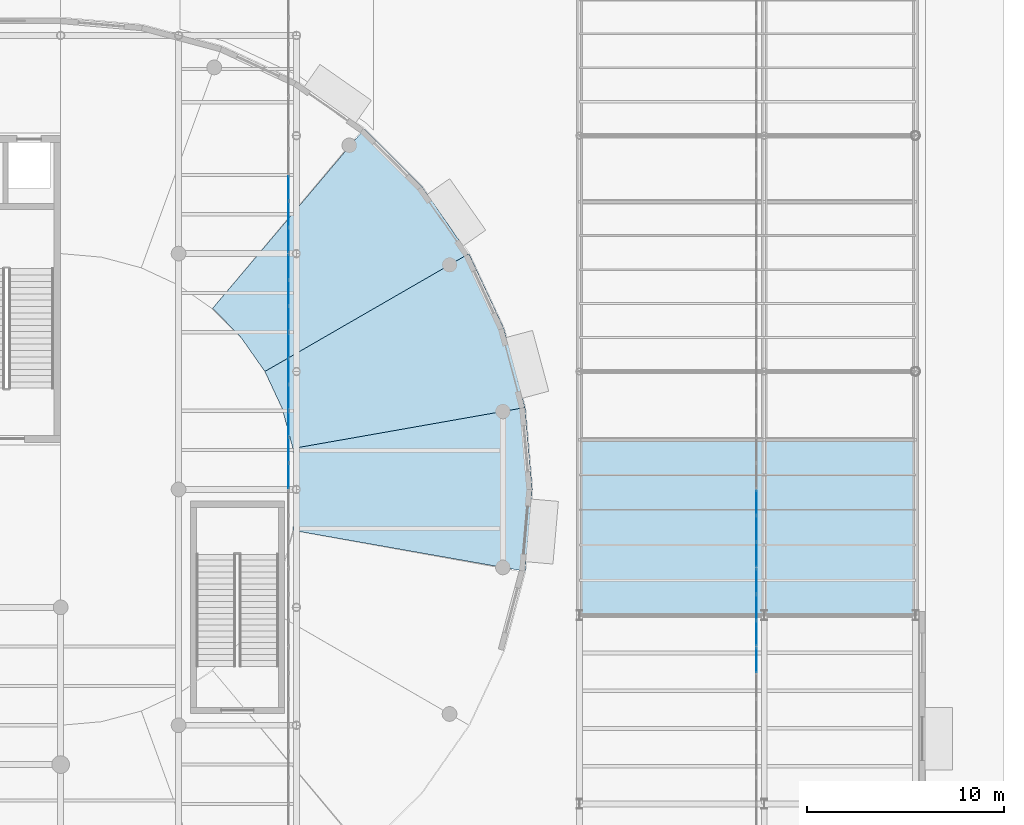
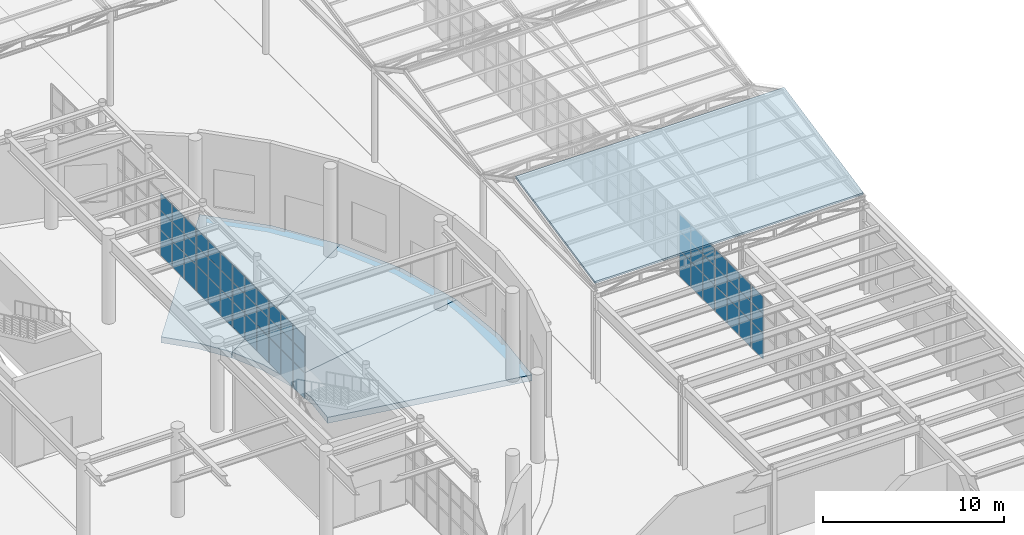
# One storey, part 79 of 118: 57 plates, 4 slabs, 7 elements without a shape of their own.
"""IFC4 building model written with IfcOpenShell, lengths in metres."""

from ifc_helpers import new_model, si_unit, direction, frame, origin, origin_2d, place, context, subcontext, project, spatial, polyline, rectangle, outline, extrude, material, layer, layer_set, type_object, element, aggregate, save


model = new_model("IFC4")

# Units and contexts
model_context = context("Model", 3, precision=1e-05, world=origin(), true_north=direction((0.0, 1.0)))
body_context = subcontext(model_context, "Body", "Model", "MODEL_VIEW")
ifc_project = project(units=[si_unit("LENGTHUNIT", "METRE"), si_unit("AREAUNIT", "SQUARE_METRE"), si_unit("VOLUMEUNIT", "CUBIC_METRE"), si_unit("PLANEANGLEUNIT", "RADIAN"), si_unit("MASSUNIT", "GRAM", prefix="KILO")], contexts=[model_context])

# Site, building, storey
site_placement = place(None, origin())
site = spatial("IfcSite", under=ifc_project, at=site_placement, CompositionType="ELEMENT")
building_placement = place(site_placement, origin())
building = spatial("IfcBuilding", under=site, at=building_placement, Name="Kolvaren Corner Interchange", CompositionType="ELEMENT")
storey_placement = place(building_placement, origin())
storey = spatial("IfcBuildingStorey", under=building, at=storey_placement, Name="L01", CompositionType="ELEMENT", Elevation=0.0)

# Curtain wall, plates
ifc_material_1 = material(Name="Unitised Aluminium and Solar-Control Glass Curtain Wall", Category="aluminium")
curtain_wall_type = type_object("IfcCurtainWallType", Name="CW-V4-BOARD", PredefinedType="NOTDEFINED", material=ifc_material_1)
curtain_wall_1_placement = place(storey_placement, origin())
curtain_wall_1 = element("IfcCurtainWall", 1, at=curtain_wall_1_placement, inside=storey, type_object=curtain_wall_type, Name="Bus Island West Boarding Curtain Wall Bay 06", PredefinedType="NOTDEFINED")
ifc_material_2 = material(Name="Low-E Solar-Control Laminated Glass", Category="glass")
ifc_layer_1 = layer(ifc_material_2, 0.035888671875)
ifc_layer_set_1 = layer_set([ifc_layer_1], Name="Low-E Solar-Control Laminated Glass")
plate_type = type_object("IfcPlateType", Name="PLT-CW-GL32", PredefinedType="CURTAIN_PANEL", material=ifc_layer_set_1)
plate_1_placement = place(storey_placement, frame((131.60009765625, 48.681640625, 0.05517578125), z_axis=(0.0, 0.0, 1.0), x_axis=(0.0, 1.0, 0.0)))
plate_1 = element("IfcPlate", 2, at=plate_1_placement, type_object=plate_type, Name="CW-131 panel 1.1", PredefinedType="CURTAIN_PANEL", context=body_context, shape_type="SweptSolid", body=[
    extrude(rectangle(XDim=1.243408203125, YDim=0.035888671875, at=origin_2d()), origin(), (0.0, 0.0, 1.0), 1.717529296875),
])
plate_2_placement = place(storey_placement, frame((131.60009765625, 48.681640625, 1.827392578125), z_axis=(0.0, 0.0, 1.0), x_axis=(0.0, 1.0, 0.0)))
plate_2 = element("IfcPlate", 3, at=plate_2_placement, type_object=plate_type, Name="CW-131 panel 1.2", PredefinedType="CURTAIN_PANEL", context=body_context, shape_type="SweptSolid", body=[
    extrude(rectangle(XDim=1.243408203125, YDim=0.035888671875, at=origin_2d()), origin(), (0.0, 0.0, 1.0), 1.2451171875),
])
plate_3_placement = place(storey_placement, frame((131.60009765625, 48.681640625, 3.12744140625), z_axis=(0.0, 0.0, 1.0), x_axis=(0.0, 1.0, 0.0)))
plate_3 = element("IfcPlate", 4, at=plate_3_placement, type_object=plate_type, Name="CW-131 panel 1.3", PredefinedType="CURTAIN_PANEL", context=body_context, shape_type="SweptSolid", body=[
    extrude(rectangle(XDim=1.243408203125, YDim=0.035888671875, at=origin_2d()), origin(), (0.0, 0.0, 1.0), 1.117431640625),
])
plate_4_placement = place(storey_placement, frame((131.60009765625, 50.0, 0.05517578125), z_axis=(0.0, 0.0, 1.0), x_axis=(0.0, 1.0, 0.0)))
plate_4 = element("IfcPlate", 5, at=plate_4_placement, type_object=plate_type, Name="CW-131 panel 2.1", PredefinedType="CURTAIN_PANEL", context=body_context, shape_type="SweptSolid", body=[
    extrude(rectangle(XDim=1.2734375, YDim=0.035888671875, at=origin_2d()), origin(), (0.0, 0.0, 1.0), 1.717529296875),
])
plate_5_placement = place(storey_placement, frame((131.60009765625, 50.0, 1.827392578125), z_axis=(0.0, 0.0, 1.0), x_axis=(0.0, 1.0, 0.0)))
plate_5 = element("IfcPlate", 6, at=plate_5_placement, type_object=plate_type, Name="CW-131 panel 2.2", PredefinedType="CURTAIN_PANEL", context=body_context, shape_type="SweptSolid", body=[
    extrude(rectangle(XDim=1.2734375, YDim=0.035888671875, at=origin_2d()), origin(), (0.0, 0.0, 1.0), 1.2451171875),
])
plate_6_placement = place(storey_placement, frame((131.60009765625, 50.0, 3.12744140625), z_axis=(0.0, 0.0, 1.0), x_axis=(0.0, 1.0, 0.0)))
plate_6 = element("IfcPlate", 7, at=plate_6_placement, type_object=plate_type, Name="CW-131 panel 2.3", PredefinedType="CURTAIN_PANEL", context=body_context, shape_type="SweptSolid", body=[
    extrude(rectangle(XDim=1.2734375, YDim=0.035888671875, at=origin_2d()), origin(), (0.0, 0.0, 1.0), 1.117431640625),
])
plate_7_placement = place(storey_placement, frame((131.60009765625, 51.318359375, 0.05517578125), z_axis=(0.0, 0.0, 1.0), x_axis=(0.0, 1.0, 0.0)))
plate_7 = element("IfcPlate", 8, at=plate_7_placement, type_object=plate_type, Name="CW-131 panel 3.1", PredefinedType="CURTAIN_PANEL", context=body_context, shape_type="SweptSolid", body=[
    extrude(rectangle(XDim=1.243408203125, YDim=0.035888671875, at=origin_2d()), origin(), (0.0, 0.0, 1.0), 1.717529296875),
])
plate_8_placement = place(storey_placement, frame((131.60009765625, 51.318359375, 1.827392578125), z_axis=(0.0, 0.0, 1.0), x_axis=(0.0, 1.0, 0.0)))
plate_8 = element("IfcPlate", 9, at=plate_8_placement, type_object=plate_type, Name="CW-131 panel 3.2", PredefinedType="CURTAIN_PANEL", context=body_context, shape_type="SweptSolid", body=[
    extrude(rectangle(XDim=1.243408203125, YDim=0.035888671875, at=origin_2d()), origin(), (0.0, 0.0, 1.0), 1.2451171875),
])
plate_9_placement = place(storey_placement, frame((131.60009765625, 51.318359375, 3.12744140625), z_axis=(0.0, 0.0, 1.0), x_axis=(0.0, 1.0, 0.0)))
plate_9 = element("IfcPlate", 10, at=plate_9_placement, type_object=plate_type, Name="CW-131 panel 3.3", PredefinedType="CURTAIN_PANEL", context=body_context, shape_type="SweptSolid", body=[
    extrude(rectangle(XDim=1.243408203125, YDim=0.035888671875, at=origin_2d()), origin(), (0.0, 0.0, 1.0), 1.117431640625),
])
aggregate(curtain_wall_1, [plate_1, plate_2, plate_3, plate_4, plate_5, plate_6, plate_7, plate_8, plate_9])

curtain_wall_2_placement = place(storey_placement, origin())
curtain_wall_2 = element("IfcCurtainWall", 11, at=curtain_wall_2_placement, inside=storey, type_object=curtain_wall_type, Name="Bus Island West Boarding Curtain Wall Bay 07", PredefinedType="NOTDEFINED")
plate_10_placement = place(storey_placement, frame((131.60009765625, 52.681640625, 0.05517578125), z_axis=(0.0, 0.0, 1.0), x_axis=(0.0, 1.0, 0.0)))
plate_10 = element("IfcPlate", 12, at=plate_10_placement, type_object=plate_type, Name="CW-132 panel 1.1", PredefinedType="CURTAIN_PANEL", context=body_context, shape_type="SweptSolid", body=[
    extrude(rectangle(XDim=1.243408203125, YDim=0.035888671875, at=origin_2d()), origin(), (0.0, 0.0, 1.0), 1.717529296875),
])
plate_11_placement = place(storey_placement, frame((131.60009765625, 52.681640625, 1.827392578125), z_axis=(0.0, 0.0, 1.0), x_axis=(0.0, 1.0, 0.0)))
plate_11 = element("IfcPlate", 13, at=plate_11_placement, type_object=plate_type, Name="CW-132 panel 1.2", PredefinedType="CURTAIN_PANEL", context=body_context, shape_type="SweptSolid", body=[
    extrude(rectangle(XDim=1.243408203125, YDim=0.035888671875, at=origin_2d()), origin(), (0.0, 0.0, 1.0), 1.2451171875),
])
plate_12_placement = place(storey_placement, frame((131.60009765625, 52.681640625, 3.12744140625), z_axis=(0.0, 0.0, 1.0), x_axis=(0.0, 1.0, 0.0)))
plate_12 = element("IfcPlate", 14, at=plate_12_placement, type_object=plate_type, Name="CW-132 panel 1.3", PredefinedType="CURTAIN_PANEL", context=body_context, shape_type="SweptSolid", body=[
    extrude(rectangle(XDim=1.243408203125, YDim=0.035888671875, at=origin_2d()), origin(), (0.0, 0.0, 1.0), 1.117431640625),
])
plate_13_placement = place(storey_placement, frame((131.60009765625, 54.0, 0.05517578125), z_axis=(0.0, 0.0, 1.0), x_axis=(0.0, 1.0, 0.0)))
plate_13 = element("IfcPlate", 15, at=plate_13_placement, type_object=plate_type, Name="CW-132 panel 2.1", PredefinedType="CURTAIN_PANEL", context=body_context, shape_type="SweptSolid", body=[
    extrude(rectangle(XDim=1.2734375, YDim=0.035888671875, at=origin_2d()), origin(), (0.0, 0.0, 1.0), 1.717529296875),
])
plate_14_placement = place(storey_placement, frame((131.60009765625, 54.0, 1.827392578125), z_axis=(0.0, 0.0, 1.0), x_axis=(0.0, 1.0, 0.0)))
plate_14 = element("IfcPlate", 16, at=plate_14_placement, type_object=plate_type, Name="CW-132 panel 2.2", PredefinedType="CURTAIN_PANEL", context=body_context, shape_type="SweptSolid", body=[
    extrude(rectangle(XDim=1.2734375, YDim=0.035888671875, at=origin_2d()), origin(), (0.0, 0.0, 1.0), 1.2451171875),
])
plate_15_placement = place(storey_placement, frame((131.60009765625, 54.0, 3.12744140625), z_axis=(0.0, 0.0, 1.0), x_axis=(0.0, 1.0, 0.0)))
plate_15 = element("IfcPlate", 17, at=plate_15_placement, type_object=plate_type, Name="CW-132 panel 2.3", PredefinedType="CURTAIN_PANEL", context=body_context, shape_type="SweptSolid", body=[
    extrude(rectangle(XDim=1.2734375, YDim=0.035888671875, at=origin_2d()), origin(), (0.0, 0.0, 1.0), 1.117431640625),
])
plate_16_placement = place(storey_placement, frame((131.60009765625, 55.318359375, 0.05517578125), z_axis=(0.0, 0.0, 1.0), x_axis=(0.0, 1.0, 0.0)))
plate_16 = element("IfcPlate", 18, at=plate_16_placement, type_object=plate_type, Name="CW-132 panel 3.1", PredefinedType="CURTAIN_PANEL", context=body_context, shape_type="SweptSolid", body=[
    extrude(rectangle(XDim=1.243408203125, YDim=0.035888671875, at=origin_2d()), origin(), (0.0, 0.0, 1.0), 1.717529296875),
])
plate_17_placement = place(storey_placement, frame((131.60009765625, 55.318359375, 1.827392578125), z_axis=(0.0, 0.0, 1.0), x_axis=(0.0, 1.0, 0.0)))
plate_17 = element("IfcPlate", 19, at=plate_17_placement, type_object=plate_type, Name="CW-132 panel 3.2", PredefinedType="CURTAIN_PANEL", context=body_context, shape_type="SweptSolid", body=[
    extrude(rectangle(XDim=1.243408203125, YDim=0.035888671875, at=origin_2d()), origin(), (0.0, 0.0, 1.0), 1.2451171875),
])
plate_18_placement = place(storey_placement, frame((131.60009765625, 55.318359375, 3.12744140625), z_axis=(0.0, 0.0, 1.0), x_axis=(0.0, 1.0, 0.0)))
plate_18 = element("IfcPlate", 20, at=plate_18_placement, type_object=plate_type, Name="CW-132 panel 3.3", PredefinedType="CURTAIN_PANEL", context=body_context, shape_type="SweptSolid", body=[
    extrude(rectangle(XDim=1.243408203125, YDim=0.035888671875, at=origin_2d()), origin(), (0.0, 0.0, 1.0), 1.117431640625),
])
aggregate(curtain_wall_2, [plate_10, plate_11, plate_12, plate_13, plate_14, plate_15, plate_16, plate_17, plate_18])

curtain_wall_3_placement = place(storey_placement, origin())
curtain_wall_3 = element("IfcCurtainWall", 21, at=curtain_wall_3_placement, inside=storey, type_object=curtain_wall_type, Name="Bus Island West Boarding Curtain Wall Bay 08", PredefinedType="NOTDEFINED")
plate_19_placement = place(storey_placement, frame((131.60009765625, 56.681640625, 0.05517578125), z_axis=(0.0, 0.0, 1.0), x_axis=(0.0, 1.0, 0.0)))
plate_19 = element("IfcPlate", 22, at=plate_19_placement, type_object=plate_type, Name="CW-133 panel 1.1", PredefinedType="CURTAIN_PANEL", context=body_context, shape_type="SweptSolid", body=[
    extrude(rectangle(XDim=1.243408203125, YDim=0.035888671875, at=origin_2d()), origin(), (0.0, 0.0, 1.0), 1.717529296875),
])
plate_20_placement = place(storey_placement, frame((131.60009765625, 56.681640625, 1.827392578125), z_axis=(0.0, 0.0, 1.0), x_axis=(0.0, 1.0, 0.0)))
plate_20 = element("IfcPlate", 23, at=plate_20_placement, type_object=plate_type, Name="CW-133 panel 1.2", PredefinedType="CURTAIN_PANEL", context=body_context, shape_type="SweptSolid", body=[
    extrude(rectangle(XDim=1.243408203125, YDim=0.035888671875, at=origin_2d()), origin(), (0.0, 0.0, 1.0), 1.2451171875),
])
plate_21_placement = place(storey_placement, frame((131.60009765625, 56.681640625, 3.12744140625), z_axis=(0.0, 0.0, 1.0), x_axis=(0.0, 1.0, 0.0)))
plate_21 = element("IfcPlate", 24, at=plate_21_placement, type_object=plate_type, Name="CW-133 panel 1.3", PredefinedType="CURTAIN_PANEL", context=body_context, shape_type="SweptSolid", body=[
    extrude(rectangle(XDim=1.243408203125, YDim=0.035888671875, at=origin_2d()), origin(), (0.0, 0.0, 1.0), 1.117431640625),
])
plate_22_placement = place(storey_placement, frame((131.60009765625, 58.0, 0.05517578125), z_axis=(0.0, 0.0, 1.0), x_axis=(0.0, 1.0, 0.0)))
plate_22 = element("IfcPlate", 25, at=plate_22_placement, type_object=plate_type, Name="CW-133 panel 2.1", PredefinedType="CURTAIN_PANEL", context=body_context, shape_type="SweptSolid", body=[
    extrude(rectangle(XDim=1.2734375, YDim=0.035888671875, at=origin_2d()), origin(), (0.0, 0.0, 1.0), 1.717529296875),
])
plate_23_placement = place(storey_placement, frame((131.60009765625, 58.0, 1.827392578125), z_axis=(0.0, 0.0, 1.0), x_axis=(0.0, 1.0, 0.0)))
plate_23 = element("IfcPlate", 26, at=plate_23_placement, type_object=plate_type, Name="CW-133 panel 2.2", PredefinedType="CURTAIN_PANEL", context=body_context, shape_type="SweptSolid", body=[
    extrude(rectangle(XDim=1.2734375, YDim=0.035888671875, at=origin_2d()), origin(), (0.0, 0.0, 1.0), 1.2451171875),
])
plate_24_placement = place(storey_placement, frame((131.60009765625, 58.0, 3.12744140625), z_axis=(0.0, 0.0, 1.0), x_axis=(0.0, 1.0, 0.0)))
plate_24 = element("IfcPlate", 27, at=plate_24_placement, type_object=plate_type, Name="CW-133 panel 2.3", PredefinedType="CURTAIN_PANEL", context=body_context, shape_type="SweptSolid", body=[
    extrude(rectangle(XDim=1.2734375, YDim=0.035888671875, at=origin_2d()), origin(), (0.0, 0.0, 1.0), 1.117431640625),
])
plate_25_placement = place(storey_placement, frame((131.60009765625, 59.318359375, 0.05517578125), z_axis=(0.0, 0.0, 1.0), x_axis=(0.0, 1.0, 0.0)))
plate_25 = element("IfcPlate", 28, at=plate_25_placement, type_object=plate_type, Name="CW-133 panel 3.1", PredefinedType="CURTAIN_PANEL", context=body_context, shape_type="SweptSolid", body=[
    extrude(rectangle(XDim=1.243408203125, YDim=0.035888671875, at=origin_2d()), origin(), (0.0, 0.0, 1.0), 1.717529296875),
])
plate_26_placement = place(storey_placement, frame((131.60009765625, 59.318359375, 1.827392578125), z_axis=(0.0, 0.0, 1.0), x_axis=(0.0, 1.0, 0.0)))
plate_26 = element("IfcPlate", 29, at=plate_26_placement, type_object=plate_type, Name="CW-133 panel 3.2", PredefinedType="CURTAIN_PANEL", context=body_context, shape_type="SweptSolid", body=[
    extrude(rectangle(XDim=1.243408203125, YDim=0.035888671875, at=origin_2d()), origin(), (0.0, 0.0, 1.0), 1.2451171875),
])
plate_27_placement = place(storey_placement, frame((131.60009765625, 59.318359375, 3.12744140625), z_axis=(0.0, 0.0, 1.0), x_axis=(0.0, 1.0, 0.0)))
plate_27 = element("IfcPlate", 30, at=plate_27_placement, type_object=plate_type, Name="CW-133 panel 3.3", PredefinedType="CURTAIN_PANEL", context=body_context, shape_type="SweptSolid", body=[
    extrude(rectangle(XDim=1.243408203125, YDim=0.035888671875, at=origin_2d()), origin(), (0.0, 0.0, 1.0), 1.117431640625),
])
aggregate(curtain_wall_3, [plate_19, plate_20, plate_21, plate_22, plate_23, plate_24, plate_25, plate_26, plate_27])

curtain_wall_4_placement = place(storey_placement, origin())
curtain_wall_4 = element("IfcCurtainWall", 31, at=curtain_wall_4_placement, inside=storey, type_object=curtain_wall_type, Name="Bus Island West Boarding Curtain Wall Bay 09", PredefinedType="NOTDEFINED")
plate_28_placement = place(storey_placement, frame((131.60009765625, 60.681640625, 0.05517578125), z_axis=(0.0, 0.0, 1.0), x_axis=(0.0, 1.0, 0.0)))
plate_28 = element("IfcPlate", 32, at=plate_28_placement, type_object=plate_type, Name="CW-134 panel 1.1", PredefinedType="CURTAIN_PANEL", context=body_context, shape_type="SweptSolid", body=[
    extrude(rectangle(XDim=1.243408203125, YDim=0.035888671875, at=origin_2d()), origin(), (0.0, 0.0, 1.0), 1.717529296875),
])
plate_29_placement = place(storey_placement, frame((131.60009765625, 60.681640625, 1.827392578125), z_axis=(0.0, 0.0, 1.0), x_axis=(0.0, 1.0, 0.0)))
plate_29 = element("IfcPlate", 33, at=plate_29_placement, type_object=plate_type, Name="CW-134 panel 1.2", PredefinedType="CURTAIN_PANEL", context=body_context, shape_type="SweptSolid", body=[
    extrude(rectangle(XDim=1.243408203125, YDim=0.035888671875, at=origin_2d()), origin(), (0.0, 0.0, 1.0), 1.2451171875),
])
plate_30_placement = place(storey_placement, frame((131.60009765625, 60.681640625, 3.12744140625), z_axis=(0.0, 0.0, 1.0), x_axis=(0.0, 1.0, 0.0)))
plate_30 = element("IfcPlate", 34, at=plate_30_placement, type_object=plate_type, Name="CW-134 panel 1.3", PredefinedType="CURTAIN_PANEL", context=body_context, shape_type="SweptSolid", body=[
    extrude(rectangle(XDim=1.243408203125, YDim=0.035888671875, at=origin_2d()), origin(), (0.0, 0.0, 1.0), 1.117431640625),
])
plate_31_placement = place(storey_placement, frame((131.60009765625, 62.0, 0.05517578125), z_axis=(0.0, 0.0, 1.0), x_axis=(0.0, 1.0, 0.0)))
plate_31 = element("IfcPlate", 35, at=plate_31_placement, type_object=plate_type, Name="CW-134 panel 2.1", PredefinedType="CURTAIN_PANEL", context=body_context, shape_type="SweptSolid", body=[
    extrude(rectangle(XDim=1.2734375, YDim=0.035888671875, at=origin_2d()), origin(), (0.0, 0.0, 1.0), 1.717529296875),
])
plate_32_placement = place(storey_placement, frame((131.60009765625, 62.0, 1.827392578125), z_axis=(0.0, 0.0, 1.0), x_axis=(0.0, 1.0, 0.0)))
plate_32 = element("IfcPlate", 36, at=plate_32_placement, type_object=plate_type, Name="CW-134 panel 2.2", PredefinedType="CURTAIN_PANEL", context=body_context, shape_type="SweptSolid", body=[
    extrude(rectangle(XDim=1.2734375, YDim=0.035888671875, at=origin_2d()), origin(), (0.0, 0.0, 1.0), 1.2451171875),
])
plate_33_placement = place(storey_placement, frame((131.60009765625, 62.0, 3.12744140625), z_axis=(0.0, 0.0, 1.0), x_axis=(0.0, 1.0, 0.0)))
plate_33 = element("IfcPlate", 37, at=plate_33_placement, type_object=plate_type, Name="CW-134 panel 2.3", PredefinedType="CURTAIN_PANEL", context=body_context, shape_type="SweptSolid", body=[
    extrude(rectangle(XDim=1.2734375, YDim=0.035888671875, at=origin_2d()), origin(), (0.0, 0.0, 1.0), 1.117431640625),
])
plate_34_placement = place(storey_placement, frame((131.60009765625, 63.318359375, 0.05517578125), z_axis=(0.0, 0.0, 1.0), x_axis=(0.0, 1.0, 0.0)))
plate_34 = element("IfcPlate", 38, at=plate_34_placement, type_object=plate_type, Name="CW-134 panel 3.1", PredefinedType="CURTAIN_PANEL", context=body_context, shape_type="SweptSolid", body=[
    extrude(rectangle(XDim=1.243408203125, YDim=0.035888671875, at=origin_2d()), origin(), (0.0, 0.0, 1.0), 1.717529296875),
])
plate_35_placement = place(storey_placement, frame((131.60009765625, 63.318359375, 1.827392578125), z_axis=(0.0, 0.0, 1.0), x_axis=(0.0, 1.0, 0.0)))
plate_35 = element("IfcPlate", 39, at=plate_35_placement, type_object=plate_type, Name="CW-134 panel 3.2", PredefinedType="CURTAIN_PANEL", context=body_context, shape_type="SweptSolid", body=[
    extrude(rectangle(XDim=1.243408203125, YDim=0.035888671875, at=origin_2d()), origin(), (0.0, 0.0, 1.0), 1.2451171875),
])
plate_36_placement = place(storey_placement, frame((131.60009765625, 63.318359375, 3.12744140625), z_axis=(0.0, 0.0, 1.0), x_axis=(0.0, 1.0, 0.0)))
plate_36 = element("IfcPlate", 40, at=plate_36_placement, type_object=plate_type, Name="CW-134 panel 3.3", PredefinedType="CURTAIN_PANEL", context=body_context, shape_type="SweptSolid", body=[
    extrude(rectangle(XDim=1.243408203125, YDim=0.035888671875, at=origin_2d()), origin(), (0.0, 0.0, 1.0), 1.117431640625),
])
aggregate(curtain_wall_4, [plate_28, plate_29, plate_30, plate_31, plate_32, plate_33, plate_34, plate_35, plate_36])

curtain_wall_5_placement = place(storey_placement, origin())
curtain_wall_5 = element("IfcCurtainWall", 41, at=curtain_wall_5_placement, inside=storey, type_object=curtain_wall_type, Name="Bus Island East Boarding Curtain Wall Bay 03", PredefinedType="NOTDEFINED")
plate_37_placement = place(storey_placement, frame((155.39990234375, 39.318359375, 0.05517578125), z_axis=(0.0, 0.0, 1.0), x_axis=(0.0, 1.0, 0.0)))
plate_37 = element("IfcPlate", 42, at=plate_37_placement, type_object=plate_type, Name="CW-140 panel 3.1", PredefinedType="CURTAIN_PANEL", context=body_context, shape_type="SweptSolid", body=[
    extrude(rectangle(XDim=1.243408203125, YDim=0.035888671875, at=origin_2d()), origin(), (0.0, 0.0, 1.0), 1.717529296875),
])
plate_38_placement = place(storey_placement, frame((155.39990234375, 39.318359375, 1.827392578125), z_axis=(0.0, 0.0, 1.0), x_axis=(0.0, 1.0, 0.0)))
plate_38 = element("IfcPlate", 43, at=plate_38_placement, type_object=plate_type, Name="CW-140 panel 3.2", PredefinedType="CURTAIN_PANEL", context=body_context, shape_type="SweptSolid", body=[
    extrude(rectangle(XDim=1.243408203125, YDim=0.035888671875, at=origin_2d()), origin(), (0.0, 0.0, 1.0), 1.2451171875),
])
plate_39_placement = place(storey_placement, frame((155.39990234375, 39.318359375, 3.12744140625), z_axis=(0.0, 0.0, 1.0), x_axis=(0.0, 1.0, 0.0)))
plate_39 = element("IfcPlate", 44, at=plate_39_placement, type_object=plate_type, Name="CW-140 panel 3.3", PredefinedType="CURTAIN_PANEL", context=body_context, shape_type="SweptSolid", body=[
    extrude(rectangle(XDim=1.243408203125, YDim=0.035888671875, at=origin_2d()), origin(), (0.0, 0.0, 1.0), 1.117431640625),
])
aggregate(curtain_wall_5, [plate_37, plate_38, plate_39])

curtain_wall_6_placement = place(storey_placement, origin())
curtain_wall_6 = element("IfcCurtainWall", 45, at=curtain_wall_6_placement, inside=storey, type_object=curtain_wall_type, Name="Bus Island East Boarding Curtain Wall Bay 04", PredefinedType="NOTDEFINED")
plate_40_placement = place(storey_placement, frame((155.39990234375, 40.681640625, 0.05517578125), z_axis=(0.0, 0.0, 1.0), x_axis=(0.0, 1.0, 0.0)))
plate_40 = element("IfcPlate", 46, at=plate_40_placement, type_object=plate_type, Name="CW-141 panel 1.1", PredefinedType="CURTAIN_PANEL", context=body_context, shape_type="SweptSolid", body=[
    extrude(rectangle(XDim=1.243408203125, YDim=0.035888671875, at=origin_2d()), origin(), (0.0, 0.0, 1.0), 1.717529296875),
])
plate_41_placement = place(storey_placement, frame((155.39990234375, 40.681640625, 1.827392578125), z_axis=(0.0, 0.0, 1.0), x_axis=(0.0, 1.0, 0.0)))
plate_41 = element("IfcPlate", 47, at=plate_41_placement, type_object=plate_type, Name="CW-141 panel 1.2", PredefinedType="CURTAIN_PANEL", context=body_context, shape_type="SweptSolid", body=[
    extrude(rectangle(XDim=1.243408203125, YDim=0.035888671875, at=origin_2d()), origin(), (0.0, 0.0, 1.0), 1.2451171875),
])
plate_42_placement = place(storey_placement, frame((155.39990234375, 40.681640625, 3.12744140625), z_axis=(0.0, 0.0, 1.0), x_axis=(0.0, 1.0, 0.0)))
plate_42 = element("IfcPlate", 48, at=plate_42_placement, type_object=plate_type, Name="CW-141 panel 1.3", PredefinedType="CURTAIN_PANEL", context=body_context, shape_type="SweptSolid", body=[
    extrude(rectangle(XDim=1.243408203125, YDim=0.035888671875, at=origin_2d()), origin(), (0.0, 0.0, 1.0), 1.117431640625),
])
plate_43_placement = place(storey_placement, frame((155.39990234375, 42.0, 0.05517578125), z_axis=(0.0, 0.0, 1.0), x_axis=(0.0, 1.0, 0.0)))
plate_43 = element("IfcPlate", 49, at=plate_43_placement, type_object=plate_type, Name="CW-141 panel 2.1", PredefinedType="CURTAIN_PANEL", context=body_context, shape_type="SweptSolid", body=[
    extrude(rectangle(XDim=1.2734375, YDim=0.035888671875, at=origin_2d()), origin(), (0.0, 0.0, 1.0), 1.717529296875),
])
plate_44_placement = place(storey_placement, frame((155.39990234375, 42.0, 1.827392578125), z_axis=(0.0, 0.0, 1.0), x_axis=(0.0, 1.0, 0.0)))
plate_44 = element("IfcPlate", 50, at=plate_44_placement, type_object=plate_type, Name="CW-141 panel 2.2", PredefinedType="CURTAIN_PANEL", context=body_context, shape_type="SweptSolid", body=[
    extrude(rectangle(XDim=1.2734375, YDim=0.035888671875, at=origin_2d()), origin(), (0.0, 0.0, 1.0), 1.2451171875),
])
plate_45_placement = place(storey_placement, frame((155.39990234375, 42.0, 3.12744140625), z_axis=(0.0, 0.0, 1.0), x_axis=(0.0, 1.0, 0.0)))
plate_45 = element("IfcPlate", 51, at=plate_45_placement, type_object=plate_type, Name="CW-141 panel 2.3", PredefinedType="CURTAIN_PANEL", context=body_context, shape_type="SweptSolid", body=[
    extrude(rectangle(XDim=1.2734375, YDim=0.035888671875, at=origin_2d()), origin(), (0.0, 0.0, 1.0), 1.117431640625),
])
plate_46_placement = place(storey_placement, frame((155.39990234375, 43.318359375, 0.05517578125), z_axis=(0.0, 0.0, 1.0), x_axis=(0.0, 1.0, 0.0)))
plate_46 = element("IfcPlate", 52, at=plate_46_placement, type_object=plate_type, Name="CW-141 panel 3.1", PredefinedType="CURTAIN_PANEL", context=body_context, shape_type="SweptSolid", body=[
    extrude(rectangle(XDim=1.243408203125, YDim=0.035888671875, at=origin_2d()), origin(), (0.0, 0.0, 1.0), 1.717529296875),
])
plate_47_placement = place(storey_placement, frame((155.39990234375, 43.318359375, 1.827392578125), z_axis=(0.0, 0.0, 1.0), x_axis=(0.0, 1.0, 0.0)))
plate_47 = element("IfcPlate", 53, at=plate_47_placement, type_object=plate_type, Name="CW-141 panel 3.2", PredefinedType="CURTAIN_PANEL", context=body_context, shape_type="SweptSolid", body=[
    extrude(rectangle(XDim=1.243408203125, YDim=0.035888671875, at=origin_2d()), origin(), (0.0, 0.0, 1.0), 1.2451171875),
])
plate_48_placement = place(storey_placement, frame((155.39990234375, 43.318359375, 3.12744140625), z_axis=(0.0, 0.0, 1.0), x_axis=(0.0, 1.0, 0.0)))
plate_48 = element("IfcPlate", 54, at=plate_48_placement, type_object=plate_type, Name="CW-141 panel 3.3", PredefinedType="CURTAIN_PANEL", context=body_context, shape_type="SweptSolid", body=[
    extrude(rectangle(XDim=1.243408203125, YDim=0.035888671875, at=origin_2d()), origin(), (0.0, 0.0, 1.0), 1.117431640625),
])
aggregate(curtain_wall_6, [plate_40, plate_41, plate_42, plate_43, plate_44, plate_45, plate_46, plate_47, plate_48])

curtain_wall_7_placement = place(storey_placement, origin())
curtain_wall_7 = element("IfcCurtainWall", 55, at=curtain_wall_7_placement, inside=storey, type_object=curtain_wall_type, Name="Bus Island East Boarding Curtain Wall Bay 05", PredefinedType="NOTDEFINED")
plate_49_placement = place(storey_placement, frame((155.39990234375, 44.681640625, 0.05517578125), z_axis=(0.0, 0.0, 1.0), x_axis=(0.0, 1.0, 0.0)))
plate_49 = element("IfcPlate", 56, at=plate_49_placement, type_object=plate_type, Name="CW-142 panel 1.1", PredefinedType="CURTAIN_PANEL", context=body_context, shape_type="SweptSolid", body=[
    extrude(rectangle(XDim=1.243408203125, YDim=0.035888671875, at=origin_2d()), origin(), (0.0, 0.0, 1.0), 1.717529296875),
])
plate_50_placement = place(storey_placement, frame((155.39990234375, 44.681640625, 1.827392578125), z_axis=(0.0, 0.0, 1.0), x_axis=(0.0, 1.0, 0.0)))
plate_50 = element("IfcPlate", 57, at=plate_50_placement, type_object=plate_type, Name="CW-142 panel 1.2", PredefinedType="CURTAIN_PANEL", context=body_context, shape_type="SweptSolid", body=[
    extrude(rectangle(XDim=1.243408203125, YDim=0.035888671875, at=origin_2d()), origin(), (0.0, 0.0, 1.0), 1.2451171875),
])
plate_51_placement = place(storey_placement, frame((155.39990234375, 44.681640625, 3.12744140625), z_axis=(0.0, 0.0, 1.0), x_axis=(0.0, 1.0, 0.0)))
plate_51 = element("IfcPlate", 58, at=plate_51_placement, type_object=plate_type, Name="CW-142 panel 1.3", PredefinedType="CURTAIN_PANEL", context=body_context, shape_type="SweptSolid", body=[
    extrude(rectangle(XDim=1.243408203125, YDim=0.035888671875, at=origin_2d()), origin(), (0.0, 0.0, 1.0), 1.117431640625),
])
plate_52_placement = place(storey_placement, frame((155.39990234375, 46.0, 0.05517578125), z_axis=(0.0, 0.0, 1.0), x_axis=(0.0, 1.0, 0.0)))
plate_52 = element("IfcPlate", 59, at=plate_52_placement, type_object=plate_type, Name="CW-142 panel 2.1", PredefinedType="CURTAIN_PANEL", context=body_context, shape_type="SweptSolid", body=[
    extrude(rectangle(XDim=1.2734375, YDim=0.035888671875, at=origin_2d()), origin(), (0.0, 0.0, 1.0), 1.717529296875),
])
plate_53_placement = place(storey_placement, frame((155.39990234375, 46.0, 1.827392578125), z_axis=(0.0, 0.0, 1.0), x_axis=(0.0, 1.0, 0.0)))
plate_53 = element("IfcPlate", 60, at=plate_53_placement, type_object=plate_type, Name="CW-142 panel 2.2", PredefinedType="CURTAIN_PANEL", context=body_context, shape_type="SweptSolid", body=[
    extrude(rectangle(XDim=1.2734375, YDim=0.035888671875, at=origin_2d()), origin(), (0.0, 0.0, 1.0), 1.2451171875),
])
plate_54_placement = place(storey_placement, frame((155.39990234375, 46.0, 3.12744140625), z_axis=(0.0, 0.0, 1.0), x_axis=(0.0, 1.0, 0.0)))
plate_54 = element("IfcPlate", 61, at=plate_54_placement, type_object=plate_type, Name="CW-142 panel 2.3", PredefinedType="CURTAIN_PANEL", context=body_context, shape_type="SweptSolid", body=[
    extrude(rectangle(XDim=1.2734375, YDim=0.035888671875, at=origin_2d()), origin(), (0.0, 0.0, 1.0), 1.117431640625),
])
plate_55_placement = place(storey_placement, frame((155.39990234375, 47.318359375, 0.05517578125), z_axis=(0.0, 0.0, 1.0), x_axis=(0.0, 1.0, 0.0)))
plate_55 = element("IfcPlate", 62, at=plate_55_placement, type_object=plate_type, Name="CW-142 panel 3.1", PredefinedType="CURTAIN_PANEL", context=body_context, shape_type="SweptSolid", body=[
    extrude(rectangle(XDim=1.243408203125, YDim=0.035888671875, at=origin_2d()), origin(), (0.0, 0.0, 1.0), 1.717529296875),
])
plate_56_placement = place(storey_placement, frame((155.39990234375, 47.318359375, 1.827392578125), z_axis=(0.0, 0.0, 1.0), x_axis=(0.0, 1.0, 0.0)))
plate_56 = element("IfcPlate", 63, at=plate_56_placement, type_object=plate_type, Name="CW-142 panel 3.2", PredefinedType="CURTAIN_PANEL", context=body_context, shape_type="SweptSolid", body=[
    extrude(rectangle(XDim=1.243408203125, YDim=0.035888671875, at=origin_2d()), origin(), (0.0, 0.0, 1.0), 1.2451171875),
])
plate_57_placement = place(storey_placement, frame((155.39990234375, 47.318359375, 3.12744140625), z_axis=(0.0, 0.0, 1.0), x_axis=(0.0, 1.0, 0.0)))
plate_57 = element("IfcPlate", 64, at=plate_57_placement, type_object=plate_type, Name="CW-142 panel 3.3", PredefinedType="CURTAIN_PANEL", context=body_context, shape_type="SweptSolid", body=[
    extrude(rectangle(XDim=1.243408203125, YDim=0.035888671875, at=origin_2d()), origin(), (0.0, 0.0, 1.0), 1.117431640625),
])
aggregate(curtain_wall_7, [plate_49, plate_50, plate_51, plate_52, plate_53, plate_54, plate_55, plate_56, plate_57])

# Slabs
ifc_material_3 = material(Name="Acoustic Metal Deck Concrete C35/45", Category="concrete")
ifc_layer_2 = layer(ifc_material_3, 0.159912109375)
ifc_layer_set_2 = layer_set([ifc_layer_2], Name="Acoustic Metal Deck Concrete C35/45")
slab_type_1 = type_object("IfcSlabType", Name="SL-CANOPY-160", PredefinedType="ROOF", material=ifc_layer_set_2)
slab_1_placement = place(storey_placement, frame((146.39990234375, 41.68994140625, 6.60009765625), z_axis=(0.0, -0.201539187653, 0.979480451995), x_axis=(1.0, 0.0, 0.0)))
element("IfcSlab", 65, at=slab_1_placement, inside=storey, type_object=slab_type_1, Name="Bus Canopy Sawtooth South Pitched Roof Deck 01", PredefinedType="ROOF", context=body_context, shape_type="SweptSolid", body=[
    extrude(outline(polyline([(0.0, 0.0), (17.1, 0.0), (17.1, 8.93127), (0.0, 8.93127), (0.0, 0.0)])), origin(), (0.0, 0.0, -1.0), 0.159912109375),
])
ifc_material_4 = material(Name="Concrete C40/50", Category="concrete")
ifc_layer_3 = layer(ifc_material_4, 0.39990234375)
ifc_layer_set_3 = layer_set([ifc_layer_3], Name="Concrete C40/50")
slab_type_2 = type_object("IfcSlabType", Name="SL-TRANSFER-400", PredefinedType="FLOOR", material=ifc_layer_set_3)
slab_2_placement = place(storey_placement, frame((0.0, 0.0, -0.39990234375)))
element("IfcSlab", 66, at=slab_2_placement, inside=storey, type_object=slab_type_2, Name="Level 01 Racetrack East Radial Sector Slab 05", PredefinedType="FLOOR", context=body_context, shape_type="SweptSolid", body=[
    extrude(outline(polyline([(143.635498046875, 43.83251953125), (144.0, 48.0), (143.635498046875, 52.16748046875), (131.817626953125, 50.083740234375), (132.0, 48.0), (131.817626953125, 45.916259765625), (143.635498046875, 43.83251953125)])), origin(), (0.0, 0.0, 1.0), 0.39990234375),
])
slab_3_placement = place(storey_placement, frame((0.0, 0.0, -0.39990234375)))
element("IfcSlab", 67, at=slab_3_placement, inside=storey, type_object=slab_type_2, Name="Level 01 Racetrack East Radial Sector Slab 06", PredefinedType="FLOOR", context=body_context, shape_type="SweptSolid", body=[
    extrude(outline(polyline([(143.635498046875, 52.16748046875), (142.552490234375, 56.20849609375), (140.78466796875, 60.0), (130.392333984375, 54.0), (131.2763671875, 52.104248046875), (131.817626953125, 50.083740234375), (143.635498046875, 52.16748046875)])), origin(), (0.0, 0.0, 1.0), 0.39990234375),
])
slab_4_placement = place(storey_placement, frame((0.0, 0.0, -0.39990234375)))
element("IfcSlab", 68, at=slab_4_placement, inside=storey, type_object=slab_type_2, Name="Level 01 Racetrack East Radial Sector Slab 07", PredefinedType="FLOOR", context=body_context, shape_type="SweptSolid", body=[
    extrude(outline(polyline([(138.385009765625, 63.4267578125), (135.457763671875, 66.354248046875), (127.737060546875, 57.220703125), (129.1923828125, 55.71337890625), (130.371337890625, 54.030029296875), (130.4130859375, 54.013916015625), (140.746826171875, 59.978271484375), (138.385009765625, 63.4267578125)])), origin(), (0.0, 0.0, 1.0), 0.39990234375),
])

save(model, "model.ifc")
